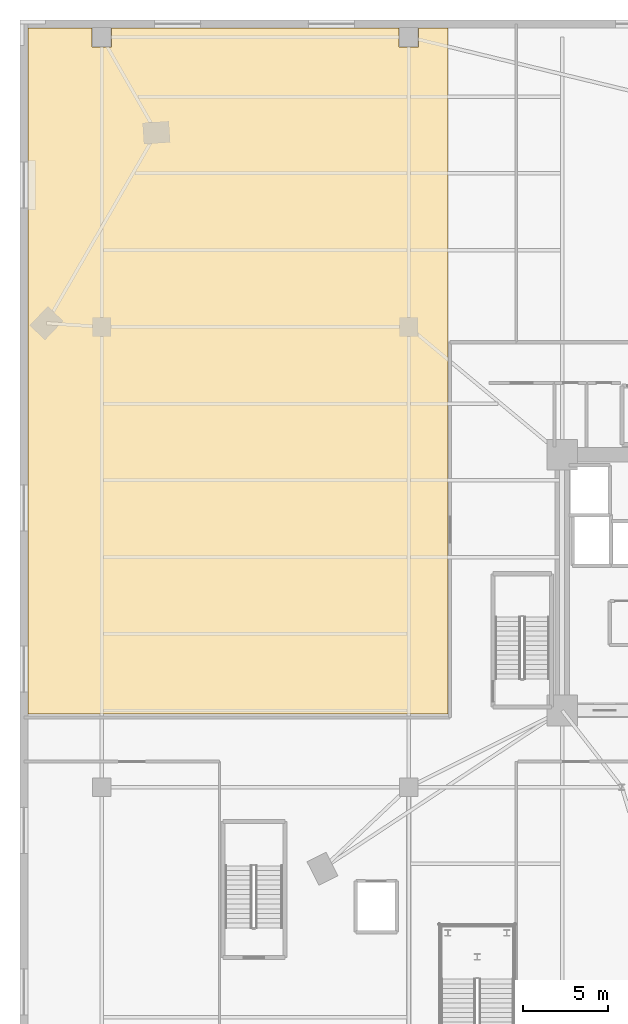
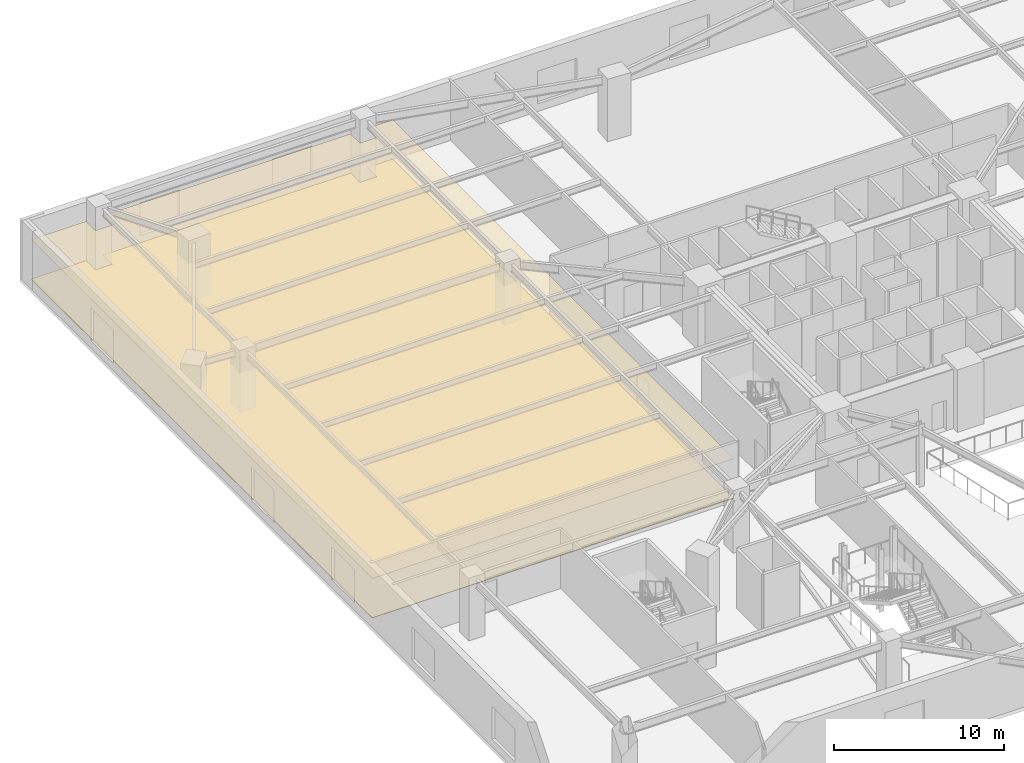
# One storey, part 13 of 16: 2 coverings.
"""IFC4 building model written with IfcOpenShell, lengths in metres."""

from ifc_helpers import new_model, si_unit, direction, frame, origin, place, context, subcontext, project, spatial, polyline, outline, extrude, material, layer, layer_set, type_object, element, save


model = new_model("IFC4")

# Units and contexts
model_context = context("Model", 3, precision=1e-05, world=origin(), true_north=direction((0.0, 1.0)))
body_context = subcontext(model_context, "Body", "Model", "MODEL_VIEW")
ifc_project = project(units=[si_unit("LENGTHUNIT", "METRE"), si_unit("AREAUNIT", "SQUARE_METRE"), si_unit("VOLUMEUNIT", "CUBIC_METRE"), si_unit("PLANEANGLEUNIT", "RADIAN"), si_unit("MASSUNIT", "GRAM", prefix="KILO")], contexts=[model_context])

# Site, building, storey
site_placement = place(None, origin())
site = spatial("IfcSite", under=ifc_project, at=site_placement, CompositionType="ELEMENT")
building_placement = place(site_placement, origin())
building = spatial("IfcBuilding", under=site, at=building_placement, Name="Liaohun Quay Tower", CompositionType="ELEMENT")
storey_placement = place(building_placement, frame((0.0, 0.0, 14.39990234375)))
storey = spatial("IfcBuildingStorey", under=building, at=storey_placement, Name="L04", CompositionType="ELEMENT", Elevation=14.39990234375)

# Coverings
ifc_material_1 = material(Name="Mineral-fibre acoustic ceiling tile")
ifc_layer_1 = layer(ifc_material_1, 0.02490234375, Name="Mineral-fibre acoustic ceiling tile")
ifc_layer_set_1 = layer_set([ifc_layer_1], Name="Mineral-fibre acoustic ceiling tile")
covering_type_1 = type_object("IfcCoveringType", Name="COV-CEIL-ACT", PredefinedType="CEILING", material=ifc_layer_set_1)
covering_1_placement = place(storey_placement, frame((0.0, 0.0, 2.85009765625)))
element("IfcCovering", 1, at=covering_1_placement, inside=storey, type_object=covering_type_1, Name="L04 Digital Media Studio Acoustic Ceiling", PredefinedType="CEILING", context=body_context, shape_type="SweptSolid", body=[
    extrude(outline(polyline([(42.570068359375, 86.52001953125), (42.570068359375, 85.429931640625), (41.429931640625, 85.429931640625), (41.429931640625, 86.52001953125), (24.570068359375, 86.52001953125), (24.570068359375, 85.429931640625), (23.429931640625, 85.429931640625), (23.429931640625, 86.52001953125), (19.679931640625, 86.52001953125), (19.679931640625, 46.300048828125), (44.300048828125, 46.300048828125), (44.300048828125, 86.52001953125), (42.570068359375, 86.52001953125)])), origin(), (0.0, 0.0, 1.0), 0.02490234375),
])
ifc_material_2 = material(Name="Calcium-sulphate raised access floor tile")
ifc_layer_2 = layer(ifc_material_2, 0.044921875, Name="Calcium-sulphate raised access floor tile")
ifc_layer_set_2 = layer_set([ifc_layer_2], Name="Calcium-sulphate raised access floor tile")
covering_type_2 = type_object("IfcCoveringType", Name="COV-FLR-RAF", PredefinedType="FLOORING", material=ifc_layer_set_2)
covering_2_placement = place(storey_placement, origin())
element("IfcCovering", 2, at=covering_2_placement, inside=storey, type_object=covering_type_2, Name="L04 Digital Media Studio Floor Finish", PredefinedType="FLOORING", context=body_context, shape_type="SweptSolid", body=[
    extrude(outline(polyline([(42.570068359375, 86.52001953125), (42.570068359375, 85.429931640625), (41.429931640625, 85.429931640625), (41.429931640625, 86.52001953125), (24.570068359375, 86.52001953125), (24.570068359375, 85.429931640625), (23.429931640625, 85.429931640625), (23.429931640625, 86.52001953125), (19.679931640625, 86.52001953125), (19.679931640625, 46.300048828125), (44.300048828125, 46.300048828125), (44.300048828125, 86.52001953125), (42.570068359375, 86.52001953125)])), origin(), (0.0, 0.0, 1.0), 0.045166015625),
])

save(model, "model.ifc")
